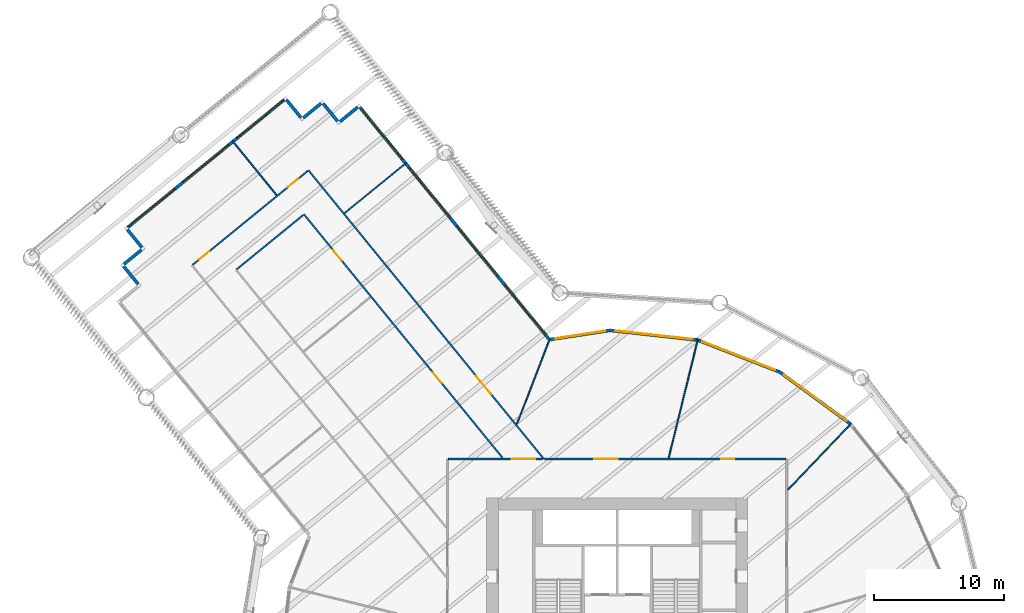
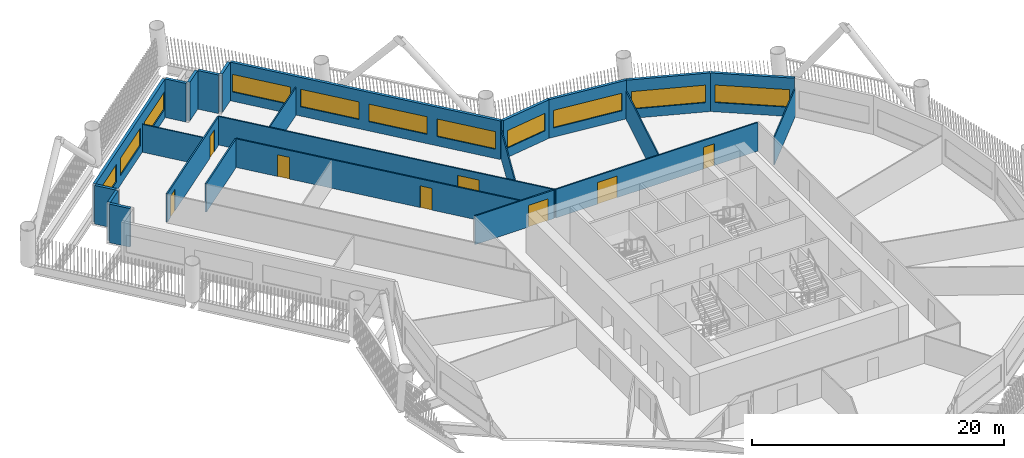
# One storey, part 7 of 22: 24 walls, 11 windows, 8 doors, 19 openings.
"""IFC4 building model written with IfcOpenShell, lengths in metres."""

import ifcopenshell
import ifcopenshell.guid

model = None  # the IFC model being written
_history = None  # IfcOwnerHistory: only IFC2X3 demands one
_inside = {}  # id of a spatial element -> (the spatial element, [elements in it])
_under = {}  # id of a project, library or spatial element -> (it, [spatial elements below it])
_declared = {}  # id of a project -> (the project, [libraries it declares])
_typed = {}  # id of a type object -> (the type object, [elements of that type])
_made_of = {}  # id of a material, layer set ... -> (it, [elements and type objects made of it])


def new_model(schema):
    """Start an empty IFC model of exactly this schema.

    Asked for "IFC4X3", IfcOpenShell would pick the latest addendum, in which some entities
    have other attributes; the version numbers below select the first issue.
    IFC2X3 requires an IfcOwnerHistory on every rooted entity: one is made here for all.
    """
    global model, _history
    if schema == "IFC4X3":
        model = ifcopenshell.file(schema_version=(4, 3, 0, 0))
    else:
        model = ifcopenshell.file(schema=schema)
    _inside.clear()
    _under.clear()
    _declared.clear()
    _typed.clear()
    _made_of.clear()
    _history = None
    if model.schema == "IFC2X3":
        org = make("IfcOrganization", Name="unknown")
        user = make(
            "IfcPersonAndOrganization",
            ThePerson=make("IfcPerson", FamilyName="unknown"),
            TheOrganization=org,
        )
        app = make(
            "IfcApplication",
            ApplicationDeveloper=org,
            Version="unknown",
            ApplicationFullName="unknown",
            ApplicationIdentifier="unknown",
        )
        _history = make(
            "IfcOwnerHistory",
            OwningUser=user,
            OwningApplication=app,
            ChangeAction="ADDED",
            CreationDate=0,
        )
    return model


def make(cls, **values):
    """One entity of the class cls with the attributes given. An attribute that is None is left unset."""
    return model.create_entity(
        cls, **{name: value for name, value in values.items() if value is not None}
    )


def rooted(cls, **values):
    """An entity with a GlobalId (a new one), such as an element, a storey or a relation."""
    return make(cls, GlobalId=ifcopenshell.guid.new(), OwnerHistory=_history, **values)


def si_unit(unit_type, name, prefix=None):
    """IfcSIUnit, for example si_unit("LENGTHUNIT", "METRE", prefix="MILLI")."""
    return make("IfcSIUnit", UnitType=unit_type, Prefix=prefix, Name=name)


def assignment(units):
    """IfcUnitAssignment: the units of a project."""
    return None if units is None else make("IfcUnitAssignment", Units=units)


def point(xyz):
    """IfcCartesianPoint."""
    return None if xyz is None else make("IfcCartesianPoint", Coordinates=xyz)


def direction(xyz):
    """IfcDirection."""
    return None if xyz is None else make("IfcDirection", DirectionRatios=xyz)


def frame(location, z_axis=None, x_axis=None):
    """IfcAxis2Placement3D, a coordinate frame: its origin and axes. An axis left out is left unset."""
    return make(
        "IfcAxis2Placement3D",
        Location=point(location),
        Axis=direction(z_axis),
        RefDirection=direction(x_axis),
    )


def frame_2d(location, x_axis=None):
    """IfcAxis2Placement2D, a coordinate frame in the plane: its origin and x axis."""
    return make(
        "IfcAxis2Placement2D", Location=point(location), RefDirection=direction(x_axis)
    )


def origin():
    """The frame at (0, 0, 0) with its axes left unset."""
    return frame((0.0, 0.0, 0.0))


def place(relative_to, where):
    """IfcLocalPlacement: puts the frame where relative to a parent placement (None: the world)."""
    return make(
        "IfcLocalPlacement", PlacementRelTo=relative_to, RelativePlacement=where
    )


def context(
    kind, dimensions, precision=None, world=None, true_north=None, identifier=None
):
    """IfcGeometricRepresentationContext, for example the 3D "Model" context."""
    return make(
        "IfcGeometricRepresentationContext",
        ContextIdentifier=identifier,
        ContextType=kind,
        CoordinateSpaceDimension=dimensions,
        Precision=precision,
        WorldCoordinateSystem=world,
        TrueNorth=true_north,
    )


def subcontext(parent, identifier, kind, view, scale=None):
    """IfcGeometricRepresentationSubContext, for example "Body" below "Model"."""
    return make(
        "IfcGeometricRepresentationSubContext",
        ContextIdentifier=identifier,
        ContextType=kind,
        ParentContext=parent,
        TargetScale=scale,
        TargetView=view,
    )


def project(units=None, contexts=None):
    """IfcProject with its units and contexts."""
    return rooted(
        "IfcProject",
        Name="project",
        RepresentationContexts=contexts,
        UnitsInContext=assignment(units),
    )


def spatial(cls, under=None, at=None, **own):
    """A site, building, storey or space (cls), placed at a placement, below another one or the project."""
    s = rooted(cls, ObjectPlacement=at, **own)
    if under is not None:
        _under.setdefault(under.id(), (under, []))[1].append(s)
    return s


def profile(cls, at=None, kind="AREA", **sizes):
    """A parametric profile (cls). Its sizes go by their IFC names, for example OverallWidth=200.0."""
    return make(cls, ProfileType=kind, Position=at, **sizes)


def rectangle(**sizes):
    """IfcRectangleProfileDef."""
    return profile("IfcRectangleProfileDef", **sizes)


def extrude(swept, where, along, depth):
    """IfcExtrudedAreaSolid: the profile swept, set in the frame where, extruded along a direction by depth."""
    return make(
        "IfcExtrudedAreaSolid",
        SweptArea=swept,
        Position=where,
        ExtrudedDirection=direction(along),
        Depth=depth,
    )


def shape(context_of_items, identifier, shape_type, items):
    """IfcShapeRepresentation: the items that make up one representation, for example the "Body"."""
    return make(
        "IfcShapeRepresentation",
        ContextOfItems=context_of_items,
        RepresentationIdentifier=identifier,
        RepresentationType=shape_type,
        Items=items,
    )


def material(Name=None, Category=None):
    """IfcMaterial."""
    return make("IfcMaterial", Name=Name, Category=Category)


def layer(
    of_material, thickness, ventilated=None, Name=None, Category=None, Priority=None
):
    """IfcMaterialLayer: one layer of a wall or slab, of a material (None: an air gap)."""
    return make(
        "IfcMaterialLayer",
        Material=of_material,
        LayerThickness=thickness,
        IsVentilated=ventilated,
        Name=Name,
        Category=Category,
        Priority=Priority,
    )


def layer_set(layers, Name=None):
    """IfcMaterialLayerSet."""
    return make("IfcMaterialLayerSet", MaterialLayers=layers, LayerSetName=Name)


def made_of(thing, what):
    """Note that an element or type object is made of a material, layer set ...; save() writes the relation."""
    if what is not None:
        _made_of.setdefault(what.id(), (what, []))[1].append(thing)
    return thing


def type_object(cls, material=None, **own):
    """A type object (cls), such as IfcWallType, which elements share."""
    return made_of(rooted(cls, **own), material)


def element(
    cls,
    number,
    at=None,
    inside=None,
    cuts=None,
    type_object=None,
    material=None,
    context=None,
    identifier="Body",
    shape_type=None,
    held_by="IfcProductDefinitionShape",
    body=None,
    shapes=None,
    **own,
):
    """One element of the class cls, such as IfcWall. Its Tag is "e" and its number.

    at: its placement. inside: the storey or other place that contains it. cuts: it is an
    opening in that element (IfcRelVoidsElement). A single representation is given by context,
    identifier, shape_type and body (its items); several are given by shapes. held_by: the class
    of the entity that holds the representations. save() writes the other relations.
    """
    e = rooted(cls, Tag="e%d" % number, ObjectPlacement=at, **own)
    if body is not None:
        shapes = [shape(context, identifier, shape_type, body)]
    if shapes is not None:
        e.Representation = make(held_by, Representations=shapes)
    if inside is not None:
        _inside.setdefault(inside.id(), (inside, []))[1].append(e)
    if cuts is not None:
        rooted(
            "IfcRelVoidsElement", RelatingBuildingElement=cuts, RelatedOpeningElement=e
        )
    if type_object is not None:
        _typed.setdefault(type_object.id(), (type_object, []))[1].append(e)
    return made_of(e, material)


def fill(opening, filler):
    """IfcRelFillsElement: the door or window that sits in an opening."""
    return rooted(
        "IfcRelFillsElement",
        RelatingOpeningElement=opening,
        RelatedBuildingElement=filler,
    )


def aggregate(whole, parts):
    """IfcRelAggregates: a whole, such as a stair, and the parts it consists of."""
    return rooted("IfcRelAggregates", RelatingObject=whole, RelatedObjects=parts)


def save(model, path):
    """Write the relations noted so far, then the file.

    IfcRelAggregates (storeys below a building ...), IfcRelContainedInSpatialStructure (elements
    in a storey), IfcRelDefinesByType, IfcRelAssociatesMaterial and IfcRelDeclares: one each for
    every whole, place, type object, material and project.
    """
    for whole, parts in _under.values():
        aggregate(whole, parts)
    for where, things in _inside.values():
        rooted(
            "IfcRelContainedInSpatialStructure",
            RelatedElements=things,
            RelatingStructure=where,
        )
    for kind, things in _typed.values():
        rooted("IfcRelDefinesByType", RelatedObjects=things, RelatingType=kind)
    for what, things in _made_of.values():
        rooted("IfcRelAssociatesMaterial", RelatedObjects=things, RelatingMaterial=what)
    for by, libraries in _declared.values():
        rooted("IfcRelDeclares", RelatingContext=by, RelatedDefinitions=libraries)
    model.write(path)


model = new_model("IFC4")

# Units and contexts
model_context = context("Model", 3, precision=1e-05, world=origin(), true_north=direction((0.0, 1.0)))
body_context = subcontext(model_context, "Body", "Model", "MODEL_VIEW")
ifc_project = project(units=[si_unit("LENGTHUNIT", "METRE"), si_unit("AREAUNIT", "SQUARE_METRE"), si_unit("VOLUMEUNIT", "CUBIC_METRE"), si_unit("PLANEANGLEUNIT", "RADIAN"), si_unit("MASSUNIT", "GRAM", prefix="KILO")], contexts=[model_context])

# Site, building, storey
site_placement = place(None, origin())
site = spatial("IfcSite", under=ifc_project, at=site_placement, CompositionType="ELEMENT")
building_placement = place(site_placement, origin())
building = spatial("IfcBuilding", under=site, at=building_placement, Name="Tarsis Ring Headquarters", CompositionType="ELEMENT")
storey_placement = place(building_placement, frame((0.0, 0.0, 40.0)))
storey = spatial("IfcBuildingStorey", under=building, at=storey_placement, Name="L07", CompositionType="ELEMENT", Elevation=40.0)

# Walls
ifc_material_1 = material(Name="Gypsum board on steel studs", Category="steel")
ifc_layer_1 = layer(ifc_material_1, 0.10009765625)
ifc_layer_set_1 = layer_set([ifc_layer_1], Name="FL partition 100 unrated")
wall_type_1 = type_object("IfcWallType", Name="FL partition 100 unrated", PredefinedType="PARTITIONING", material=ifc_layer_set_1)
wall_1_placement = place(storey_placement, frame((3.94677734375, 16.068115234375, 0.0), z_axis=(0.0, 0.0, 1.0), x_axis=(0.238531609534, 0.971134733831, 0.0)))
element("IfcWall", 1, at=wall_1_placement, inside=storey, type_object=wall_type_1, Name="Partition PW3", PredefinedType="PARTITIONING", context=body_context, shape_type="SweptSolid", body=[
    extrude(rectangle(XDim=9.402099609375, YDim=0.10009765625, at=frame_2d((4.701171875, 0.0))), origin(), (0.0, 0.0, 1.0), 2.699951171875),
])
wall_2_placement = place(storey_placement, frame((13.090087890625, 13.650146484375, 0.0), z_axis=(0.0, 0.0, 1.0), x_axis=(0.692151780538, 0.721751974502, 0.0)))
element("IfcWall", 2, at=wall_2_placement, inside=storey, type_object=wall_type_1, Name="Partition PW3", PredefinedType="PARTITIONING", context=body_context, shape_type="SweptSolid", body=[
    extrude(rectangle(XDim=7.035400390625, YDim=0.10009765625, at=frame_2d((3.517578125, 0.0))), origin(), (0.0, 0.0, 1.0), 2.699951171875),
])
wall_3_placement = place(storey_placement, frame((-7.6884765625, 18.666259765625, 0.0), z_axis=(0.0, 0.0, 1.0), x_axis=(0.359179799523, 0.933268381343, 0.0)))
element("IfcWall", 3, at=wall_3_placement, inside=storey, type_object=wall_type_1, Name="Partition PW3", PredefinedType="PARTITIONING", context=body_context, shape_type="SweptSolid", body=[
    extrude(rectangle(XDim=7.00927734375, YDim=0.10009765625, at=frame_2d((3.504638671875, 0.0))), origin(), (0.0, 0.0, 1.0), 2.699951171875),
])
wall_4_placement = place(storey_placement, frame((-20.89599609375, 34.84521484375, 0.0), z_axis=(0.0, 0.0, 1.0), x_axis=(0.774933918307, 0.632042263031, 0.0)))
element("IfcWall", 4, at=wall_4_placement, inside=storey, type_object=wall_type_1, Name="Partition PW3", PredefinedType="PARTITIONING", context=body_context, shape_type="SweptSolid", body=[
    extrude(rectangle(XDim=6.1201171875, YDim=0.10009765625, at=frame_2d((3.06005859375, 0.0))), origin(), (0.0, 0.0, 1.0), 2.699951171875),
])
wall_5_placement = place(storey_placement, frame((-29.500732421875, 40.39599609375, 0.0), z_axis=(0.0, 0.0, 1.0), x_axis=(0.632038531533, -0.774936961731, 0.0)))
element("IfcWall", 5, at=wall_5_placement, inside=storey, type_object=wall_type_1, Name="Partition PW3", PredefinedType="PARTITIONING", context=body_context, shape_type="SweptSolid", body=[
    extrude(rectangle(XDim=5.380126953125, YDim=0.10009765625, at=frame_2d((2.68994140625, 0.0))), origin(), (0.0, 0.0, 1.0), 2.699951171875),
])

# Wall, opening, door
ifc_layer_2 = layer(ifc_material_1, 0.125)
ifc_layer_set_2 = layer_set([ifc_layer_2], Name="FL partition 125 EI 60 H2770")
wall_type_2 = type_object("IfcWallType", Name="FL partition 125 EI 60 H2770", PredefinedType="PARTITIONING", material=ifc_layer_set_2)
wall_6_placement = place(storey_placement, frame((-23.66162109375, 38.12548828125, 0.0), z_axis=(0.0, 0.0, 1.0), x_axis=(0.632030524669, -0.77494349206, 0.0)))
wall_6 = element("IfcWall", 6, at=wall_6_placement, inside=storey, type_object=wall_type_2, Name="Partition PW1", PredefinedType="PARTITIONING", context=body_context, shape_type="SweptSolid", body=[
    extrude(rectangle(XDim=28.551025390625, YDim=0.125, at=frame_2d((14.275390625, 0.0))), origin(), (0.0, 0.0, 1.0), 2.77001953125),
])
opening_1_placement = place(wall_6_placement, frame((20.33056640625, 0.0, 0.0)))
opening_1 = element("IfcOpeningElement", 7, at=opening_1_placement, cuts=wall_6, Name="Opening D07.03", PredefinedType="OPENING", context=body_context, shape_type="SweptSolid", body=[
    extrude(rectangle(XDim=1.800048828125, YDim=2.10009765625, at=frame_2d((0.89990234375, 1.050048828125))), frame((0.0, 0.072509765625, 0.0), z_axis=(0.0, -1.0, 0.0), x_axis=(1.0, 0.0, 0.0)), (0.0, 0.0, 1.0), 0.14501953125),
])
ifc_material_2 = material(Name="Fire-rated timber door leaf in steel frame", Category="steel")
door_type_1 = type_object("IfcDoorType", Name="FL door FD60-1800", OperationType="DOUBLE_DOOR_SINGLE_SWING", PredefinedType="DOOR", material=ifc_material_2)
door_1_placement = place(opening_1_placement, origin())
door_1 = element("IfcDoor", 8, at=door_1_placement, inside=storey, type_object=door_type_1, Name="Door D07.03", OperationType="DOUBLE_DOOR_SINGLE_SWING", OverallHeight=2.10009765625, OverallWidth=1.800048828125, PredefinedType="DOOR", context=body_context, shape_type="SweptSolid", body=[
    extrude(rectangle(XDim=1.800048828125, YDim=2.10009765625, at=frame_2d((0.89990234375, 1.050048828125))), frame((0.0, 0.02490234375, 0.0), z_axis=(0.0, -1.0, 0.0), x_axis=(1.0, 0.0, 0.0)), (0.0, 0.0, 1.0), 0.050048828125),
])
fill(opening_1, door_1)

wall_7_placement = place(storey_placement, frame((-12.93994140625, 16.0, 0.0), z_axis=(0.0, 0.0, 1.0), x_axis=(1.0, 0.0, 0.0)))
wall_7 = element("IfcWall", 9, at=wall_7_placement, inside=storey, type_object=wall_type_2, Name="Partition PW1", PredefinedType="PARTITIONING", context=body_context, shape_type="SweptSolid", body=[
    extrude(rectangle(XDim=7.19189453125, YDim=0.125, at=frame_2d((3.595947265625, 0.0))), origin(), (0.0, 0.0, 1.0), 2.77001953125),
])
opening_2_placement = place(wall_7_placement, frame((4.875, 0.0, 0.0)))
opening_2 = element("IfcOpeningElement", 10, at=opening_2_placement, cuts=wall_7, Name="Opening D07.24", PredefinedType="OPENING", context=body_context, shape_type="SweptSolid", body=[
    extrude(rectangle(XDim=1.800048828125, YDim=2.10009765625, at=frame_2d((0.89990234375, 1.050048828125))), frame((0.0, 0.072509765625, 0.0), z_axis=(0.0, -1.0, 0.0), x_axis=(1.0, 0.0, 0.0)), (0.0, 0.0, 1.0), 0.14501953125),
])
door_2_placement = place(opening_2_placement, origin())
door_2 = element("IfcDoor", 11, at=door_2_placement, inside=storey, type_object=door_type_1, Name="Door D07.24", OperationType="DOUBLE_DOOR_SINGLE_SWING", OverallHeight=2.10009765625, OverallWidth=1.800048828125, PredefinedType="DOOR", context=body_context, shape_type="SweptSolid", body=[
    extrude(rectangle(XDim=1.800048828125, YDim=2.10009765625, at=frame_2d((0.89990234375, 1.050048828125))), frame((0.0, 0.02490234375, 0.0), z_axis=(0.0, -1.0, 0.0), x_axis=(1.0, 0.0, 0.0)), (0.0, 0.0, 1.0), 0.050048828125),
])
fill(opening_2, door_2)

# Wall, openings, doors
wall_8_placement = place(storey_placement, frame((-5.568115234375, 16.0, 0.0), z_axis=(0.0, 0.0, 1.0), x_axis=(1.0, 0.0, 0.0)))
wall_8 = element("IfcWall", 12, at=wall_8_placement, inside=storey, type_object=wall_type_2, Name="Partition PW1", PredefinedType="PARTITIONING", context=body_context, shape_type="SweptSolid", body=[
    extrude(rectangle(XDim=18.508056640625, YDim=0.125, at=frame_2d((9.25390625, 0.0))), origin(), (0.0, 0.0, 1.0), 2.77001953125),
])
opening_3_placement = place(wall_8_placement, frame((3.82470703125, 0.0, 0.0)))
opening_3 = element("IfcOpeningElement", 13, at=opening_3_placement, cuts=wall_8, Name="Opening D07.04", PredefinedType="OPENING", context=body_context, shape_type="SweptSolid", body=[
    extrude(rectangle(XDim=1.800048828125, YDim=2.10009765625, at=frame_2d((0.89990234375, 1.050048828125))), frame((0.0, 0.072509765625, 0.0), z_axis=(0.0, -1.0, 0.0), x_axis=(1.0, 0.0, 0.0)), (0.0, 0.0, 1.0), 0.14501953125),
])
opening_4_placement = place(wall_8_placement, frame((13.532958984375, 0.0, 0.0)))
opening_4 = element("IfcOpeningElement", 14, at=opening_4_placement, cuts=wall_8, Name="Opening D07.05", PredefinedType="OPENING", context=body_context, shape_type="SweptSolid", body=[
    extrude(rectangle(XDim=1.0, YDim=2.10009765625, at=frame_2d((0.5, 1.050048828125))), frame((0.0, 0.072509765625, 0.0), z_axis=(0.0, -1.0, 0.0), x_axis=(1.0, 0.0, 0.0)), (0.0, 0.0, 1.0), 0.14501953125),
])
door_type_2 = type_object("IfcDoorType", Name="FL door FD60-1000", OperationType="NOTDEFINED", PredefinedType="DOOR", material=ifc_material_2)
door_3_placement = place(opening_4_placement, origin())
door_3 = element("IfcDoor", 15, at=door_3_placement, inside=storey, type_object=door_type_2, Name="Door D07.05", OperationType="SINGLE_SWING_RIGHT", OverallHeight=2.10009765625, OverallWidth=1.0, PredefinedType="DOOR", context=body_context, shape_type="SweptSolid", body=[
    extrude(rectangle(XDim=1.0, YDim=2.10009765625, at=frame_2d((0.5, 1.050048828125))), frame((0.0, 0.02490234375, 0.0), z_axis=(0.0, -1.0, 0.0), x_axis=(1.0, 0.0, 0.0)), (0.0, 0.0, 1.0), 0.050048828125),
])
fill(opening_4, door_3)
door_4_placement = place(opening_3_placement, origin())
door_4 = element("IfcDoor", 16, at=door_4_placement, inside=storey, type_object=door_type_1, Name="Door D07.04", OperationType="DOUBLE_DOOR_SINGLE_SWING", OverallHeight=2.10009765625, OverallWidth=1.800048828125, PredefinedType="DOOR", context=body_context, shape_type="SweptSolid", body=[
    extrude(rectangle(XDim=1.800048828125, YDim=2.10009765625, at=frame_2d((0.89990234375, 1.050048828125))), frame((0.0, 0.02490234375, 0.0), z_axis=(0.0, -1.0, 0.0), x_axis=(1.0, 0.0, 0.0)), (0.0, 0.0, 1.0), 0.050048828125),
])
fill(opening_3, door_4)

wall_9_placement = place(storey_placement, frame((-24.004638671875, 34.748779296875, 0.0), z_axis=(0.0, 0.0, 1.0), x_axis=(0.63203090033, -0.774943185678, 0.0)))
wall_9 = element("IfcWall", 17, at=wall_9_placement, inside=storey, type_object=wall_type_2, Name="Partition PW1", PredefinedType="PARTITIONING", context=body_context, shape_type="SweptSolid", body=[
    extrude(rectangle(XDim=24.07373046875, YDim=0.125, at=frame_2d((12.036865234375, 0.0))), origin(), (0.0, 0.0, 1.0), 2.77001953125),
])
opening_5_placement = place(wall_9_placement, frame((15.661865234375, 0.0, 0.0)))
opening_5 = element("IfcOpeningElement", 18, at=opening_5_placement, cuts=wall_9, Name="Opening D07.17", PredefinedType="OPENING", context=body_context, shape_type="SweptSolid", body=[
    extrude(rectangle(XDim=1.0, YDim=2.10009765625, at=frame_2d((0.5, 1.050048828125))), frame((0.0, 0.072509765625, 0.0), z_axis=(0.0, -1.0, 0.0), x_axis=(1.0, 0.0, 0.0)), (0.0, 0.0, 1.0), 0.14501953125),
])
opening_6_placement = place(wall_9_placement, frame((3.56494140625, 0.0, 0.0)))
opening_6 = element("IfcOpeningElement", 19, at=opening_6_placement, cuts=wall_9, Name="Opening D07.18", PredefinedType="OPENING", context=body_context, shape_type="SweptSolid", body=[
    extrude(rectangle(XDim=1.0, YDim=2.10009765625, at=frame_2d((0.5, 1.050048828125))), frame((0.0, 0.072509765625, 0.0), z_axis=(0.0, -1.0, 0.0), x_axis=(1.0, 0.0, 0.0)), (0.0, 0.0, 1.0), 0.14501953125),
])
door_5_placement = place(opening_5_placement, origin())
door_5 = element("IfcDoor", 20, at=door_5_placement, inside=storey, type_object=door_type_2, Name="Door D07.17", OperationType="SINGLE_SWING_RIGHT", OverallHeight=2.10009765625, OverallWidth=1.0, PredefinedType="DOOR", context=body_context, shape_type="SweptSolid", body=[
    extrude(rectangle(XDim=1.0, YDim=2.10009765625, at=frame_2d((0.5, 1.050048828125))), frame((0.0, 0.02490234375, 0.0), z_axis=(0.0, -1.0, 0.0), x_axis=(1.0, 0.0, 0.0)), (0.0, 0.0, 1.0), 0.050048828125),
])
fill(opening_5, door_5)
door_6_placement = place(opening_6_placement, origin())
door_6 = element("IfcDoor", 21, at=door_6_placement, inside=storey, type_object=door_type_2, Name="Door D07.18", OperationType="SINGLE_SWING_LEFT", OverallHeight=2.10009765625, OverallWidth=1.0, PredefinedType="DOOR", context=body_context, shape_type="SweptSolid", body=[
    extrude(rectangle(XDim=1.0, YDim=2.10009765625, at=frame_2d((0.5, 1.050048828125))), frame((0.0, 0.02490234375, 0.0), z_axis=(0.0, -1.0, 0.0), x_axis=(1.0, 0.0, 0.0)), (0.0, 0.0, 1.0), 0.050048828125),
])
fill(opening_6, door_6)

wall_10_placement = place(storey_placement, frame((-32.54248046875, 30.882568359375, 0.0), z_axis=(0.0, 0.0, 1.0), x_axis=(0.774950587653, 0.632021824541, 0.0)))
wall_10 = element("IfcWall", 22, at=wall_10_placement, inside=storey, type_object=wall_type_2, Name="Partition PW1", PredefinedType="PARTITIONING", context=body_context, shape_type="SweptSolid", body=[
    extrude(rectangle(XDim=11.400146484375, YDim=0.125, at=frame_2d((5.7001953125, 0.0))), origin(), (0.0, 0.0, 1.0), 2.77001953125),
])
opening_7_placement = place(wall_10_placement, frame((0.64111328125, 0.0, 0.0)))
opening_7 = element("IfcOpeningElement", 23, at=opening_7_placement, cuts=wall_10, Name="Opening D07.01", PredefinedType="OPENING", context=body_context, shape_type="SweptSolid", body=[
    extrude(rectangle(XDim=1.0, YDim=2.10009765625, at=frame_2d((0.5, 1.050048828125))), frame((0.0, 0.072509765625, 0.0), z_axis=(0.0, -1.0, 0.0), x_axis=(1.0, 0.0, 0.0)), (0.0, 0.0, 1.0), 0.14501953125),
])
opening_8_placement = place(wall_10_placement, frame((9.413330078125, 0.0, 0.0)))
opening_8 = element("IfcOpeningElement", 24, at=opening_8_placement, cuts=wall_10, Name="Opening D07.02", PredefinedType="OPENING", context=body_context, shape_type="SweptSolid", body=[
    extrude(rectangle(XDim=1.0, YDim=2.10009765625, at=frame_2d((0.5, 1.050048828125))), frame((0.0, 0.072509765625, 0.0), z_axis=(0.0, -1.0, 0.0), x_axis=(1.0, 0.0, 0.0)), (0.0, 0.0, 1.0), 0.14501953125),
])
door_7_placement = place(opening_7_placement, origin())
door_7 = element("IfcDoor", 25, at=door_7_placement, inside=storey, type_object=door_type_2, Name="Door D07.01", OperationType="SINGLE_SWING_RIGHT", OverallHeight=2.10009765625, OverallWidth=1.0, PredefinedType="DOOR", context=body_context, shape_type="SweptSolid", body=[
    extrude(rectangle(XDim=1.0, YDim=2.10009765625, at=frame_2d((0.5, 1.050048828125))), frame((0.0, 0.02490234375, 0.0), z_axis=(0.0, -1.0, 0.0), x_axis=(1.0, 0.0, 0.0)), (0.0, 0.0, 1.0), 0.050048828125),
])
fill(opening_7, door_7)
door_8_placement = place(opening_8_placement, origin())
door_8 = element("IfcDoor", 26, at=door_8_placement, inside=storey, type_object=door_type_2, Name="Door D07.02", OperationType="SINGLE_SWING_LEFT", OverallHeight=2.10009765625, OverallWidth=1.0, PredefinedType="DOOR", context=body_context, shape_type="SweptSolid", body=[
    extrude(rectangle(XDim=1.0, YDim=2.10009765625, at=frame_2d((0.5, 1.050048828125))), frame((0.0, 0.02490234375, 0.0), z_axis=(0.0, -1.0, 0.0), x_axis=(1.0, 0.0, 0.0)), (0.0, 0.0, 1.0), 0.050048828125),
])
fill(opening_8, door_8)

# Wall
wall_11_placement = place(storey_placement, frame((-29.165771484375, 30.53955078125, 0.0), z_axis=(0.0, 0.0, 1.0), x_axis=(0.774951791275, 0.632020348722, 0.0)))
element("IfcWall", 27, at=wall_11_placement, inside=storey, type_object=wall_type_2, Name="Partition PW1", PredefinedType="PARTITIONING", context=body_context, shape_type="SweptSolid", body=[
    extrude(rectangle(XDim=6.60009765625, YDim=0.125, at=frame_2d((3.300048828125, 0.0))), origin(), (0.0, 0.0, 1.0), 2.77001953125),
])

# Wall, opening, window
ifc_material_3 = material(Name="Terracotta clad insulated panel wall", Category="masonry")
ifc_layer_3 = layer(ifc_material_3, 0.25)
ifc_layer_set_3 = layer_set([ifc_layer_3], Name="Facade wall terracotta panel 250")
wall_type_3 = type_object("IfcWallType", Name="Facade wall terracotta panel 250", PredefinedType="STANDARD", material=ifc_layer_set_3)
wall_12_placement = place(storey_placement, frame((17.895263671875, 18.6845703125, 0.0), z_axis=(0.0, 0.0, 1.0), x_axis=(-0.805935923229, 0.592002776723, 0.0)))
wall_12 = element("IfcWall", 28, at=wall_12_placement, inside=storey, type_object=wall_type_3, Name="External wall L07-27", PredefinedType="STANDARD", context=body_context, shape_type="SweptSolid", body=[
    extrude(rectangle(XDim=6.7216796875, YDim=0.25, at=frame_2d((3.36083984375, 0.0))), origin(), (0.0, 0.0, 1.0), 3.739990234375),
])
opening_9_placement = place(wall_12_placement, frame((0.3857421875, 0.0, 0.89990234375)))
opening_9 = element("IfcOpeningElement", 29, at=opening_9_placement, cuts=wall_12, Name="Opening WN07", PredefinedType="OPENING", context=body_context, shape_type="SweptSolid", body=[
    extrude(rectangle(XDim=5.949951171875, YDim=1.699951171875, at=frame_2d((2.97509765625, 0.85009765625))), frame((0.0, 0.135009765625, 0.0), z_axis=(0.0, -1.0, 0.0), x_axis=(1.0, 0.0, 0.0)), (0.0, 0.0, 1.0), 0.27001953125),
])
ifc_material_4 = material(Name="Aluminium framed double glazing", Category="aluminium")
window_type_1 = type_object("IfcWindowType", Name="Facade window 5950 x 1700", PartitioningType="SINGLE_PANEL", PredefinedType="WINDOW", material=ifc_material_4)
window_1_placement = place(opening_9_placement, origin())
window_1 = element("IfcWindow", 30, at=window_1_placement, inside=storey, type_object=window_type_1, Name="Window L07-27.1", OverallHeight=1.699951171875, OverallWidth=5.949951171875, PartitioningType="SINGLE_PANEL", PredefinedType="WINDOW", context=body_context, shape_type="SweptSolid", body=[
    extrude(rectangle(XDim=5.949951171875, YDim=1.699951171875, at=frame_2d((2.97509765625, 0.85009765625))), frame((0.0, 0.030029296875, 0.0), z_axis=(0.0, -1.0, 0.0), x_axis=(1.0, 0.0, 0.0)), (0.0, 0.0, 1.0), 0.06005859375),
])
fill(opening_9, window_1)

wall_13_placement = place(storey_placement, frame((12.449462890625, 22.679443359375, 0.0), z_axis=(0.0, 0.0, 1.0), x_axis=(-0.931690084271, 0.36325416291, 0.0)))
wall_13 = element("IfcWall", 31, at=wall_13_placement, inside=storey, type_object=wall_type_3, Name="External wall L07-28", PredefinedType="STANDARD", context=body_context, shape_type="SweptSolid", body=[
    extrude(rectangle(XDim=6.7216796875, YDim=0.25, at=frame_2d((3.36083984375, 0.0))), origin(), (0.0, 0.0, 1.0), 3.739990234375),
])
opening_10_placement = place(wall_13_placement, frame((0.3857421875, 0.0, 0.89990234375)))
opening_10 = element("IfcOpeningElement", 32, at=opening_10_placement, cuts=wall_13, Name="Opening WN07", PredefinedType="OPENING", context=body_context, shape_type="SweptSolid", body=[
    extrude(rectangle(XDim=5.949951171875, YDim=1.699951171875, at=frame_2d((2.97509765625, 0.85009765625))), frame((0.0, 0.135009765625, 0.0), z_axis=(0.0, -1.0, 0.0), x_axis=(1.0, 0.0, 0.0)), (0.0, 0.0, 1.0), 0.27001953125),
])
window_2_placement = place(opening_10_placement, origin())
window_2 = element("IfcWindow", 33, at=window_2_placement, inside=storey, type_object=window_type_1, Name="Window L07-28.1", OverallHeight=1.699951171875, OverallWidth=5.949951171875, PartitioningType="SINGLE_PANEL", PredefinedType="WINDOW", context=body_context, shape_type="SweptSolid", body=[
    extrude(rectangle(XDim=5.949951171875, YDim=1.699951171875, at=frame_2d((2.97509765625, 0.85009765625))), frame((0.0, 0.030029296875, 0.0), z_axis=(0.0, -1.0, 0.0), x_axis=(1.0, 0.0, 0.0)), (0.0, 0.0, 1.0), 0.06005859375),
])
fill(opening_10, window_2)

wall_14_placement = place(storey_placement, frame((6.155517578125, 25.12890625, 0.0), z_axis=(0.0, 0.0, 1.0), x_axis=(-0.993961447201, 0.109729856824, 0.0)))
wall_14 = element("IfcWall", 34, at=wall_14_placement, inside=storey, type_object=wall_type_3, Name="External wall L07-29", PredefinedType="STANDARD", context=body_context, shape_type="SweptSolid", body=[
    extrude(rectangle(XDim=6.721435546875, YDim=0.25, at=frame_2d((3.36083984375, 0.0))), origin(), (0.0, 0.0, 1.0), 3.739990234375),
])
opening_11_placement = place(wall_14_placement, frame((0.3857421875, 0.0, 0.89990234375)))
opening_11 = element("IfcOpeningElement", 35, at=opening_11_placement, cuts=wall_14, Name="Opening WN07", PredefinedType="OPENING", context=body_context, shape_type="SweptSolid", body=[
    extrude(rectangle(XDim=5.949951171875, YDim=1.699951171875, at=frame_2d((2.97509765625, 0.85009765625))), frame((0.0, 0.135009765625, 0.0), z_axis=(0.0, -1.0, 0.0), x_axis=(1.0, 0.0, 0.0)), (0.0, 0.0, 1.0), 0.27001953125),
])
window_3_placement = place(opening_11_placement, origin())
window_3 = element("IfcWindow", 36, at=window_3_placement, inside=storey, type_object=window_type_1, Name="Window L07-29.1", OverallHeight=1.699951171875, OverallWidth=5.949951171875, PartitioningType="SINGLE_PANEL", PredefinedType="WINDOW", context=body_context, shape_type="SweptSolid", body=[
    extrude(rectangle(XDim=5.949951171875, YDim=1.699951171875, at=frame_2d((2.97509765625, 0.85009765625))), frame((0.0, 0.030029296875, 0.0), z_axis=(0.0, -1.0, 0.0), x_axis=(1.0, 0.0, 0.0)), (0.0, 0.0, 1.0), 0.06005859375),
])
fill(opening_11, window_3)

wall_15_placement = place(storey_placement, frame((-0.55810546875, 25.86572265625, 0.0), z_axis=(0.0, 0.0, 1.0), x_axis=(-0.988494227048, -0.151258596758, 0.0)))
wall_15 = element("IfcWall", 37, at=wall_15_placement, inside=storey, type_object=wall_type_3, Name="External wall L07-30", PredefinedType="STANDARD", context=body_context, shape_type="SweptSolid", body=[
    extrude(rectangle(XDim=4.617919921875, YDim=0.25, at=frame_2d((2.30908203125, 0.0))), origin(), (0.0, 0.0, 1.0), 3.739990234375),
])
opening_12_placement = place(wall_15_placement, frame((0.367431640625, 0.0, 0.89990234375)))
opening_12 = element("IfcOpeningElement", 38, at=opening_12_placement, cuts=wall_15, Name="Opening WN02", PredefinedType="OPENING", context=body_context, shape_type="SweptSolid", body=[
    extrude(rectangle(XDim=3.85009765625, YDim=1.699951171875, at=frame_2d((1.925048828125, 0.85009765625))), frame((0.0, 0.135009765625, 0.0), z_axis=(0.0, -1.0, 0.0), x_axis=(1.0, 0.0, 0.0)), (0.0, 0.0, 1.0), 0.27001953125),
])
window_type_2 = type_object("IfcWindowType", Name="Facade window 3850 x 1700", PartitioningType="SINGLE_PANEL", PredefinedType="WINDOW", material=ifc_material_4)
window_4_placement = place(opening_12_placement, origin())
window_4 = element("IfcWindow", 39, at=window_4_placement, inside=storey, type_object=window_type_2, Name="Window L07-30.1", OverallHeight=1.699951171875, OverallWidth=3.85009765625, PartitioningType="SINGLE_PANEL", PredefinedType="WINDOW", context=body_context, shape_type="SweptSolid", body=[
    extrude(rectangle(XDim=3.85009765625, YDim=1.699951171875, at=frame_2d((1.925048828125, 0.85009765625))), frame((0.0, 0.030029296875, 0.0), z_axis=(0.0, -1.0, 0.0), x_axis=(1.0, 0.0, 0.0)), (0.0, 0.0, 1.0), 0.06005859375),
])
fill(opening_12, window_4)

# Wall, openings, windows
wall_16_placement = place(storey_placement, frame((-5.238525390625, 25.2119140625, 0.0), z_axis=(0.0, 0.0, 1.0), x_axis=(-0.63203475377, 0.77494004286, 0.0)))
wall_16 = element("IfcWall", 40, at=wall_16_placement, inside=storey, type_object=wall_type_3, Name="External wall L07-31", PredefinedType="STANDARD", context=body_context, shape_type="SweptSolid", body=[
    extrude(rectangle(XDim=22.901123046875, YDim=0.25, at=frame_2d((11.45068359375, 0.0))), origin(), (0.0, 0.0, 1.0), 3.739990234375),
])
opening_13_placement = place(wall_16_placement, frame((0.4189453125, 0.0, 0.89990234375)))
opening_13 = element("IfcOpeningElement", 41, at=opening_13_placement, cuts=wall_16, Name="Opening WN05", PredefinedType="OPENING", context=body_context, shape_type="SweptSolid", body=[
    extrude(rectangle(XDim=4.949951171875, YDim=1.699951171875, at=frame_2d((2.47509765625, 0.85009765625))), frame((0.0, 0.135009765625, 0.0), z_axis=(0.0, -1.0, 0.0), x_axis=(1.0, 0.0, 0.0)), (0.0, 0.0, 1.0), 0.27001953125),
])
opening_14_placement = place(wall_16_placement, frame((6.206787109375, 0.0, 0.89990234375)))
opening_14 = element("IfcOpeningElement", 42, at=opening_14_placement, cuts=wall_16, Name="Opening WN05", PredefinedType="OPENING", context=body_context, shape_type="SweptSolid", body=[
    extrude(rectangle(XDim=4.949951171875, YDim=1.699951171875, at=frame_2d((2.47509765625, 0.85009765625))), frame((0.0, 0.135009765625, 0.0), z_axis=(0.0, -1.0, 0.0), x_axis=(1.0, 0.0, 0.0)), (0.0, 0.0, 1.0), 0.27001953125),
])
opening_15_placement = place(wall_16_placement, frame((11.99462890625, 0.0, 0.89990234375)))
opening_15 = element("IfcOpeningElement", 43, at=opening_15_placement, cuts=wall_16, Name="Opening WN05", PredefinedType="OPENING", context=body_context, shape_type="SweptSolid", body=[
    extrude(rectangle(XDim=4.949951171875, YDim=1.699951171875, at=frame_2d((2.47509765625, 0.85009765625))), frame((0.0, 0.135009765625, 0.0), z_axis=(0.0, -1.0, 0.0), x_axis=(1.0, 0.0, 0.0)), (0.0, 0.0, 1.0), 0.27001953125),
])
opening_16_placement = place(wall_16_placement, frame((17.782470703125, 0.0, 0.89990234375)))
opening_16 = element("IfcOpeningElement", 44, at=opening_16_placement, cuts=wall_16, Name="Opening WN05", PredefinedType="OPENING", context=body_context, shape_type="SweptSolid", body=[
    extrude(rectangle(XDim=4.949951171875, YDim=1.699951171875, at=frame_2d((2.47509765625, 0.85009765625))), frame((0.0, 0.135009765625, 0.0), z_axis=(0.0, -1.0, 0.0), x_axis=(1.0, 0.0, 0.0)), (0.0, 0.0, 1.0), 0.27001953125),
])
window_type_3 = type_object("IfcWindowType", Name="Facade window 4950 x 1700", PartitioningType="SINGLE_PANEL", PredefinedType="WINDOW", material=ifc_material_4)
window_5_placement = place(opening_13_placement, origin())
window_5 = element("IfcWindow", 45, at=window_5_placement, inside=storey, type_object=window_type_3, Name="Window L07-31.1", OverallHeight=1.699951171875, OverallWidth=4.949951171875, PartitioningType="SINGLE_PANEL", PredefinedType="WINDOW", context=body_context, shape_type="SweptSolid", body=[
    extrude(rectangle(XDim=4.949951171875, YDim=1.699951171875, at=frame_2d((2.47509765625, 0.85009765625))), frame((0.0, 0.030029296875, 0.0), z_axis=(0.0, -1.0, 0.0), x_axis=(1.0, 0.0, 0.0)), (0.0, 0.0, 1.0), 0.06005859375),
])
fill(opening_13, window_5)
window_6_placement = place(opening_14_placement, origin())
window_6 = element("IfcWindow", 46, at=window_6_placement, inside=storey, type_object=window_type_3, Name="Window L07-31.2", OverallHeight=1.699951171875, OverallWidth=4.949951171875, PartitioningType="SINGLE_PANEL", PredefinedType="WINDOW", context=body_context, shape_type="SweptSolid", body=[
    extrude(rectangle(XDim=4.949951171875, YDim=1.699951171875, at=frame_2d((2.47509765625, 0.85009765625))), frame((0.0, 0.030029296875, 0.0), z_axis=(0.0, -1.0, 0.0), x_axis=(1.0, 0.0, 0.0)), (0.0, 0.0, 1.0), 0.06005859375),
])
fill(opening_14, window_6)
window_7_placement = place(opening_15_placement, origin())
window_7 = element("IfcWindow", 47, at=window_7_placement, inside=storey, type_object=window_type_3, Name="Window L07-31.3", OverallHeight=1.699951171875, OverallWidth=4.949951171875, PartitioningType="SINGLE_PANEL", PredefinedType="WINDOW", context=body_context, shape_type="SweptSolid", body=[
    extrude(rectangle(XDim=4.949951171875, YDim=1.699951171875, at=frame_2d((2.47509765625, 0.85009765625))), frame((0.0, 0.030029296875, 0.0), z_axis=(0.0, -1.0, 0.0), x_axis=(1.0, 0.0, 0.0)), (0.0, 0.0, 1.0), 0.06005859375),
])
fill(opening_15, window_7)
window_8_placement = place(opening_16_placement, origin())
window_8 = element("IfcWindow", 48, at=window_8_placement, inside=storey, type_object=window_type_3, Name="Window L07-31.4", OverallHeight=1.699951171875, OverallWidth=4.949951171875, PartitioningType="SINGLE_PANEL", PredefinedType="WINDOW", context=body_context, shape_type="SweptSolid", body=[
    extrude(rectangle(XDim=4.949951171875, YDim=1.699951171875, at=frame_2d((2.47509765625, 0.85009765625))), frame((0.0, 0.030029296875, 0.0), z_axis=(0.0, -1.0, 0.0), x_axis=(1.0, 0.0, 0.0)), (0.0, 0.0, 1.0), 0.06005859375),
])
fill(opening_16, window_8)

# Walls
wall_17_placement = place(storey_placement, frame((-19.888671875, 42.976806640625, 0.0), z_axis=(0.0, 0.0, 1.0), x_axis=(-0.774981894861, -0.631983435414, 0.0)))
element("IfcWall", 49, at=wall_17_placement, inside=storey, type_object=wall_type_3, Name="External wall L07-32", PredefinedType="STANDARD", context=body_context, shape_type="SweptSolid", body=[
    extrude(rectangle(XDim=1.75, YDim=0.25, at=frame_2d((0.875, 0.0))), origin(), (0.0, 0.0, 1.0), 3.739990234375),
])
wall_18_placement = place(storey_placement, frame((-21.420654296875, 41.888671875, 0.0), z_axis=(0.0, 0.0, 1.0), x_axis=(-0.632067214027, 0.774913567407, 0.0)))
element("IfcWall", 50, at=wall_18_placement, inside=storey, type_object=wall_type_3, Name="External wall L07-33", PredefinedType="STANDARD", context=body_context, shape_type="SweptSolid", body=[
    extrude(rectangle(XDim=1.750244140625, YDim=0.25, at=frame_2d((0.875, 0.0))), origin(), (0.0, 0.0, 1.0), 3.739990234375),
])
wall_19_placement = place(storey_placement, frame((-22.70263671875, 43.2626953125, 0.0), z_axis=(0.0, 0.0, 1.0), x_axis=(-0.774981894861, -0.631983435414, 0.0)))
element("IfcWall", 51, at=wall_19_placement, inside=storey, type_object=wall_type_3, Name="External wall L07-34", PredefinedType="STANDARD", context=body_context, shape_type="SweptSolid", body=[
    extrude(rectangle(XDim=1.75, YDim=0.25, at=frame_2d((0.875, 0.0))), origin(), (0.0, 0.0, 1.0), 3.739990234375),
])
wall_20_placement = place(storey_placement, frame((-24.234619140625, 42.174560546875, 0.0), z_axis=(0.0, 0.0, 1.0), x_axis=(-0.632067214027, 0.774913567407, 0.0)))
element("IfcWall", 52, at=wall_20_placement, inside=storey, type_object=wall_type_3, Name="External wall L07-35", PredefinedType="STANDARD", context=body_context, shape_type="SweptSolid", body=[
    extrude(rectangle(XDim=1.750244140625, YDim=0.25, at=frame_2d((0.875, 0.0))), origin(), (0.0, 0.0, 1.0), 3.739990234375),
])

# Wall, openings, windows
wall_21_placement = place(storey_placement, frame((-25.5166015625, 43.548583984375, 0.0), z_axis=(0.0, 0.0, 1.0), x_axis=(-0.774948661236, -0.632024186601, 0.0)))
wall_21 = element("IfcWall", 53, at=wall_21_placement, inside=storey, type_object=wall_type_3, Name="External wall L07-36", PredefinedType="STANDARD", context=body_context, shape_type="SweptSolid", body=[
    extrude(rectangle(XDim=15.5, YDim=0.25, at=frame_2d((7.75, 0.0))), origin(), (0.0, 0.0, 1.0), 3.739990234375),
])
opening_17_placement = place(wall_21_placement, frame((0.166748046875, 0.0, 0.89990234375)))
opening_17 = element("IfcOpeningElement", 54, at=opening_17_placement, cuts=wall_21, Name="Opening WN04", PredefinedType="OPENING", context=body_context, shape_type="SweptSolid", body=[
    extrude(rectangle(XDim=4.5, YDim=1.699951171875, at=frame_2d((2.25, 0.85009765625))), frame((0.0, 0.135009765625, 0.0), z_axis=(0.0, -1.0, 0.0), x_axis=(1.0, 0.0, 0.0)), (0.0, 0.0, 1.0), 0.27001953125),
])
opening_18_placement = place(wall_21_placement, frame((5.5, 0.0, 0.89990234375)))
opening_18 = element("IfcOpeningElement", 55, at=opening_18_placement, cuts=wall_21, Name="Opening WN04", PredefinedType="OPENING", context=body_context, shape_type="SweptSolid", body=[
    extrude(rectangle(XDim=4.5, YDim=1.699951171875, at=frame_2d((2.25, 0.85009765625))), frame((0.0, 0.135009765625, 0.0), z_axis=(0.0, -1.0, 0.0), x_axis=(1.0, 0.0, 0.0)), (0.0, 0.0, 1.0), 0.27001953125),
])
opening_19_placement = place(wall_21_placement, frame((10.833251953125, 0.0, 0.89990234375)))
opening_19 = element("IfcOpeningElement", 56, at=opening_19_placement, cuts=wall_21, Name="Opening WN04", PredefinedType="OPENING", context=body_context, shape_type="SweptSolid", body=[
    extrude(rectangle(XDim=4.5, YDim=1.699951171875, at=frame_2d((2.25, 0.85009765625))), frame((0.0, 0.135009765625, 0.0), z_axis=(0.0, -1.0, 0.0), x_axis=(1.0, 0.0, 0.0)), (0.0, 0.0, 1.0), 0.27001953125),
])
window_type_4 = type_object("IfcWindowType", Name="Facade window 4500 x 1700", PartitioningType="SINGLE_PANEL", PredefinedType="WINDOW", material=ifc_material_4)
window_9_placement = place(opening_17_placement, origin())
window_9 = element("IfcWindow", 57, at=window_9_placement, inside=storey, type_object=window_type_4, Name="Window L07-36.1", OverallHeight=1.699951171875, OverallWidth=4.5, PartitioningType="SINGLE_PANEL", PredefinedType="WINDOW", context=body_context, shape_type="SweptSolid", body=[
    extrude(rectangle(XDim=4.5, YDim=1.699951171875, at=frame_2d((2.25, 0.85009765625))), frame((0.0, 0.030029296875, 0.0), z_axis=(0.0, -1.0, 0.0), x_axis=(1.0, 0.0, 0.0)), (0.0, 0.0, 1.0), 0.06005859375),
])
fill(opening_17, window_9)
window_10_placement = place(opening_18_placement, origin())
window_10 = element("IfcWindow", 58, at=window_10_placement, inside=storey, type_object=window_type_4, Name="Window L07-36.2", OverallHeight=1.699951171875, OverallWidth=4.5, PartitioningType="SINGLE_PANEL", PredefinedType="WINDOW", context=body_context, shape_type="SweptSolid", body=[
    extrude(rectangle(XDim=4.5, YDim=1.699951171875, at=frame_2d((2.25, 0.85009765625))), frame((0.0, 0.030029296875, 0.0), z_axis=(0.0, -1.0, 0.0), x_axis=(1.0, 0.0, 0.0)), (0.0, 0.0, 1.0), 0.06005859375),
])
fill(opening_18, window_10)
window_11_placement = place(opening_19_placement, origin())
window_11 = element("IfcWindow", 59, at=window_11_placement, inside=storey, type_object=window_type_4, Name="Window L07-36.3", OverallHeight=1.699951171875, OverallWidth=4.5, PartitioningType="SINGLE_PANEL", PredefinedType="WINDOW", context=body_context, shape_type="SweptSolid", body=[
    extrude(rectangle(XDim=4.5, YDim=1.699951171875, at=frame_2d((2.25, 0.85009765625))), frame((0.0, 0.030029296875, 0.0), z_axis=(0.0, -1.0, 0.0), x_axis=(1.0, 0.0, 0.0)), (0.0, 0.0, 1.0), 0.06005859375),
])
fill(opening_19, window_11)

# Walls
wall_22_placement = place(storey_placement, frame((-37.546142578125, 33.576171875, 0.0), z_axis=(0.0, 0.0, 1.0), x_axis=(0.632051769294, -0.774926164826, 0.0)))
element("IfcWall", 60, at=wall_22_placement, inside=storey, type_object=wall_type_3, Name="External wall L07-37", PredefinedType="STANDARD", context=body_context, shape_type="SweptSolid", body=[
    extrude(rectangle(XDim=1.749755859375, YDim=0.25, at=frame_2d((0.875, 0.0))), origin(), (0.0, 0.0, 1.0), 3.739990234375),
])
for number, where, z_axis, x_axis, name in (
    (61, (-36.4580078125, 32.044189453125, 0.0), (0.0, 0.0, 1.0), (-0.774981894861, -0.631983435414, 0.0), "External wall L07-38"),
    (62, (-37.83203125, 30.76220703125, 0.0), (0.0, 0.0, 1.0), (0.632135544914, -0.774857827511, 0.0), "External wall L07-39"),
):
    element("IfcWall", number, at=place(storey_placement, frame(where, z_axis=z_axis, x_axis=x_axis)), inside=storey, type_object=wall_type_3, Name=name, PredefinedType="STANDARD", context=body_context, shape_type="SweptSolid", body=[
        extrude(rectangle(XDim=1.75, YDim=0.25, at=frame_2d((0.875, 0.0))), origin(), (0.0, 0.0, 1.0), 3.739990234375),
    ])

save(model, "model.ifc")
